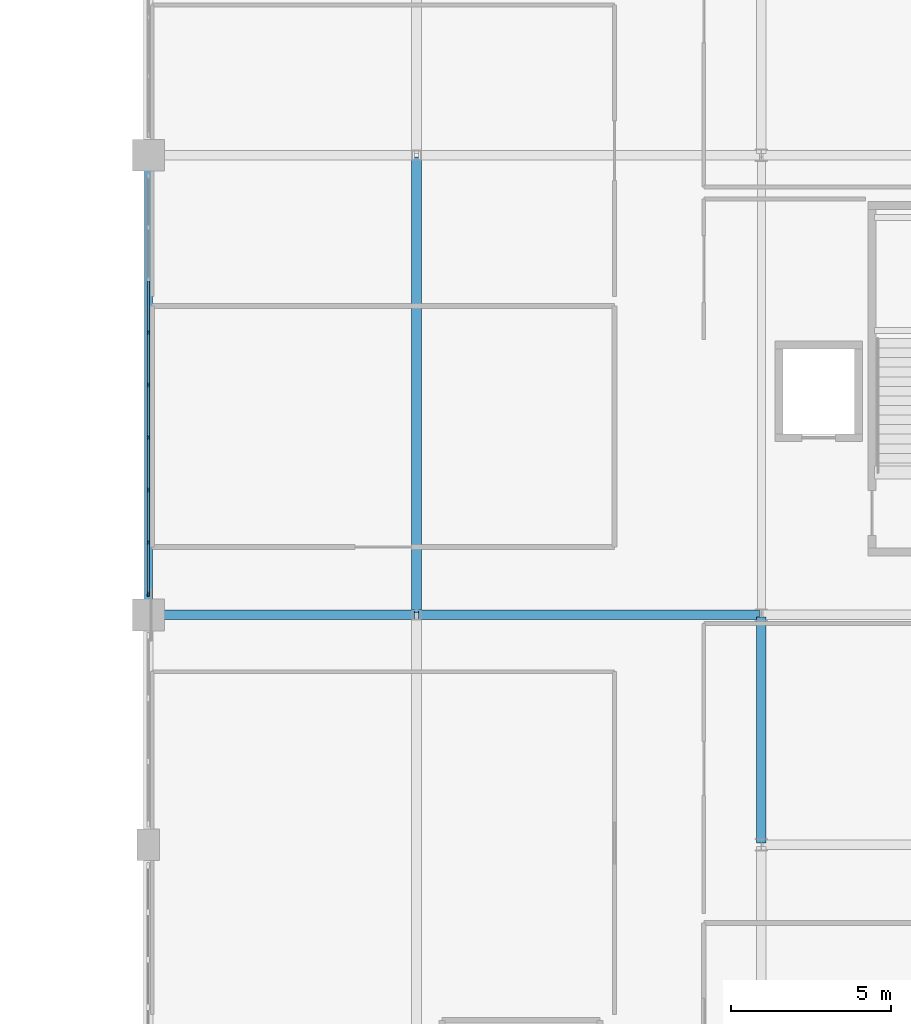
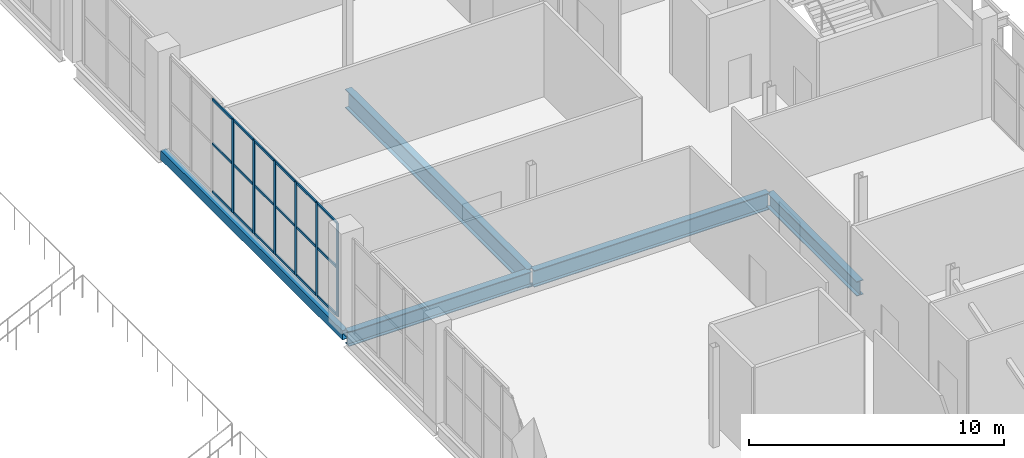
# One storey, part 37 of 104: 24 members, 5 beams, 1 element without a shape of its own.
"""IFC4 building model written with IfcOpenShell, lengths in metres."""

from ifc_helpers import new_model, si_unit, direction, frame, origin, origin_2d, place, context, subcontext, project, spatial, rectangle, hollow_rectangle, i_section, extrude, material, material_profile, profile_set, type_object, element, aggregate, save


model = new_model("IFC4")

# Units and contexts
model_context = context("Model", 3, precision=1e-05, world=origin(), true_north=direction((0.0, 1.0)))
body_context = subcontext(model_context, "Body", "Model", "MODEL_VIEW")
ifc_project = project(units=[si_unit("LENGTHUNIT", "METRE"), si_unit("AREAUNIT", "SQUARE_METRE"), si_unit("VOLUMEUNIT", "CUBIC_METRE"), si_unit("PLANEANGLEUNIT", "RADIAN"), si_unit("MASSUNIT", "GRAM", prefix="KILO")], contexts=[model_context])

# Site, building, storey
site_placement = place(None, origin())
site = spatial("IfcSite", under=ifc_project, at=site_placement, CompositionType="ELEMENT")
building_placement = place(site_placement, origin())
building = spatial("IfcBuilding", under=site, at=building_placement, Name="Koshinbarg Plaza Stadium", CompositionType="ELEMENT")
storey_placement = place(building_placement, frame((0.0, 0.0, 19.800048828125)))
storey = spatial("IfcBuildingStorey", under=building, at=storey_placement, Name="L04", CompositionType="ELEMENT", Elevation=19.800048828125)

# Beams
ifc_material_1 = material(Name="Steel S355", Category="steel")
ifc_material_profile_1 = material_profile(ifc_material_1, i_section(OverallWidth=0.300048828125, OverallDepth=0.699951171875, WebThickness=0.01708984375, FlangeThickness=0.031982421875, at=origin_2d()), Name="HEB 700")
ifc_profile_set_1 = profile_set([ifc_material_profile_1], Name="Steel S355")
beam_type_1 = type_object("IfcBeamType", Name="BM-SGIR-03", PredefinedType="USERDEFINED", material=ifc_profile_set_1)
beam_1_placement = place(storey_placement, frame((189.4599609375, 54.300048828125, -0.650146484375), z_axis=(1.0, 0.0, 0.0), x_axis=(0.0, 1.0, 0.0)))
element("IfcBeam", 1, at=beam_1_placement, inside=storey, type_object=beam_type_1, Name="L04 X girder H/18-19", ObjectType="GIRDER", PredefinedType="USERDEFINED", context=body_context, shape_type="SweptSolid", body=[
    extrude(i_section(OverallWidth=0.300048828125, OverallDepth=0.699951171875, WebThickness=0.01708984375, FlangeThickness=0.031982421875, at=origin_2d()), origin(), (0.0, 0.0, 1.0), 8.280029296875),
])
beam_2_placement = place(storey_placement, frame((208.60009765625, 47.159912109375, -0.650146484375), z_axis=(0.0, 1.0, 0.0), x_axis=(-1.0, 0.0, 0.0)))
element("IfcBeam", 2, at=beam_2_placement, inside=storey, type_object=beam_type_1, Name="L04 Y girder 20/G-H", ObjectType="GIRDER", PredefinedType="USERDEFINED", context=body_context, shape_type="SweptSolid", body=[
    extrude(i_section(OverallWidth=0.300048828125, OverallDepth=0.699951171875, WebThickness=0.01708984375, FlangeThickness=0.031982421875, at=origin_2d()), origin(), (0.0, 0.0, 1.0), 7.080078125),
])
ifc_material_profile_2 = material_profile(ifc_material_1, i_section(OverallWidth=0.300048828125, OverallDepth=0.800048828125, WebThickness=0.017578125, FlangeThickness=0.032958984375, at=origin_2d()), Name="HEB 800")
ifc_profile_set_2 = profile_set([ifc_material_profile_2], Name="Steel S355")
beam_type_2 = type_object("IfcBeamType", Name="BM-SGIR-04", PredefinedType="USERDEFINED", material=ifc_profile_set_2)
beam_3_placement = place(storey_placement, frame((197.860107421875, 54.300048828125, -0.699951171875), z_axis=(1.0, 0.0, 0.0), x_axis=(0.0, 1.0, 0.0)))
element("IfcBeam", 3, at=beam_3_placement, inside=storey, type_object=beam_type_2, Name="L04 X girder H/19-20", ObjectType="GIRDER", PredefinedType="USERDEFINED", context=body_context, shape_type="SweptSolid", body=[
    extrude(i_section(OverallWidth=0.300048828125, OverallDepth=0.800048828125, WebThickness=0.017578125, FlangeThickness=0.032958984375, at=origin_2d()), origin(), (0.0, 0.0, 1.0), 10.679931640625),
])
ifc_material_profile_3 = material_profile(ifc_material_1, i_section(OverallWidth=0.300048828125, OverallDepth=0.89990234375, WebThickness=0.0185546875, FlangeThickness=0.034912109375, at=origin_2d()), Name="HEB 900")
ifc_profile_set_3 = profile_set([ifc_material_profile_3], Name="Steel S355")
beam_type_3 = type_object("IfcBeamType", Name="BM-SGIR-05", PredefinedType="USERDEFINED", material=ifc_profile_set_3)
beam_4_placement = place(storey_placement, frame((197.800048828125, 54.360107421875, -0.75), z_axis=(0.0, 1.0, 0.0), x_axis=(-1.0, 0.0, 0.0)))
element("IfcBeam", 4, at=beam_4_placement, inside=storey, type_object=beam_type_3, Name="L04 Y girder 19/H-J", ObjectType="GIRDER", PredefinedType="USERDEFINED", context=body_context, shape_type="SweptSolid", body=[
    extrude(i_section(OverallWidth=0.300048828125, OverallDepth=0.89990234375, WebThickness=0.0185546875, FlangeThickness=0.034912109375, at=origin_2d()), origin(), (0.0, 0.0, 1.0), 14.27978515625),
])
ifc_material_profile_4 = material_profile(ifc_material_1, hollow_rectangle(XDim=0.25, YDim=0.449951171875, WallThickness=0.01611328125, at=origin_2d()), Name="RHS 450x250x16")
ifc_profile_set_4 = profile_set([ifc_material_profile_4], Name="Steel S355")
beam_type_4 = type_object("IfcBeamType", Name="BM-SGIR-06", PredefinedType="USERDEFINED", material=ifc_profile_set_4)
beam_5_placement = place(storey_placement, frame((189.39990234375, 54.360107421875, -0.525146484375), z_axis=(0.0, 1.0, 0.0), x_axis=(-1.0, 0.0, 0.0)))
element("IfcBeam", 5, at=beam_5_placement, inside=storey, type_object=beam_type_4, Name="L04 Y girder 18/H-J", ObjectType="GIRDER", PredefinedType="USERDEFINED", context=body_context, shape_type="SweptSolid", body=[
    extrude(hollow_rectangle(XDim=0.25, YDim=0.449951171875, WallThickness=0.01611328125, at=origin_2d()), origin(), (0.0, 0.0, 1.0), 14.27978515625),
])

# Curtain wall, members
ifc_material_2 = material(Name="Thermally broken anodised aluminium and low-E double glazing", Category="aluminium")
curtain_wall_type = type_object("IfcCurtainWallType", Name="CW-SYS-13", PredefinedType="NOTDEFINED", material=ifc_material_2)
curtain_wall_placement = place(storey_placement, origin())
curtain_wall = element("IfcCurtainWall", 6, at=curtain_wall_placement, inside=storey, type_object=curtain_wall_type, Name="L04 unitised curtain wall CW-L04-124", PredefinedType="NOTDEFINED")
ifc_material_3 = material(Name="Anodised aluminium mullion", Category="aluminium")
ifc_material_profile_5 = material_profile(ifc_material_3, rectangle(XDim=0.06005859375, YDim=0.139892578125, at=origin_2d()), Name="ALU 60x140")
ifc_profile_set_5 = profile_set([ifc_material_profile_5], Name="Anodised aluminium mullion")
member_type_1 = type_object("IfcMemberType", Name="CW-MUL-01", PredefinedType="MULLION", material=ifc_profile_set_5)
member_1_placement = place(storey_placement, frame((189.39990234375, 54.949951171875, 0.0), z_axis=(0.0, 0.0, 1.0), x_axis=(-1.0, 0.0, 0.0)))
member_1 = element("IfcMember", 7, at=member_1_placement, type_object=member_type_1, Name="CW13 mullion 1", PredefinedType="MULLION", context=body_context, shape_type="SweptSolid", body=[
    extrude(rectangle(XDim=0.06005859375, YDim=0.139892578125, at=origin_2d()), origin(), (0.0, 0.0, 1.0), 4.47998046875),
])
member_2_placement = place(storey_placement, frame((189.39990234375, 56.56494140625, 0.0), z_axis=(0.0, 0.0, 1.0), x_axis=(-1.0, 0.0, 0.0)))
member_2 = element("IfcMember", 8, at=member_2_placement, type_object=member_type_1, Name="CW13 mullion 2", PredefinedType="MULLION", context=body_context, shape_type="SweptSolid", body=[
    extrude(rectangle(XDim=0.06005859375, YDim=0.139892578125, at=origin_2d()), origin(), (0.0, 0.0, 1.0), 4.47998046875),
])
member_3_placement = place(storey_placement, frame((189.39990234375, 58.2099609375, 0.0), z_axis=(0.0, 0.0, 1.0), x_axis=(-1.0, 0.0, 0.0)))
member_3 = element("IfcMember", 9, at=member_3_placement, type_object=member_type_1, Name="CW13 mullion 3", PredefinedType="MULLION", context=body_context, shape_type="SweptSolid", body=[
    extrude(rectangle(XDim=0.06005859375, YDim=0.139892578125, at=origin_2d()), origin(), (0.0, 0.0, 1.0), 4.47998046875),
])
member_4_placement = place(storey_placement, frame((189.39990234375, 59.85498046875, 0.0), z_axis=(0.0, 0.0, 1.0), x_axis=(-1.0, 0.0, 0.0)))
member_4 = element("IfcMember", 10, at=member_4_placement, type_object=member_type_1, Name="CW13 mullion 4", PredefinedType="MULLION", context=body_context, shape_type="SweptSolid", body=[
    extrude(rectangle(XDim=0.06005859375, YDim=0.139892578125, at=origin_2d()), origin(), (0.0, 0.0, 1.0), 4.47998046875),
])
member_5_placement = place(storey_placement, frame((189.39990234375, 61.5, 0.0), z_axis=(0.0, 0.0, 1.0), x_axis=(-1.0, 0.0, 0.0)))
member_5 = element("IfcMember", 11, at=member_5_placement, type_object=member_type_1, Name="CW13 mullion 5", PredefinedType="MULLION", context=body_context, shape_type="SweptSolid", body=[
    extrude(rectangle(XDim=0.06005859375, YDim=0.139892578125, at=origin_2d()), origin(), (0.0, 0.0, 1.0), 4.47998046875),
])
member_6_placement = place(storey_placement, frame((189.39990234375, 63.14501953125, 0.0), z_axis=(0.0, 0.0, 1.0), x_axis=(-1.0, 0.0, 0.0)))
member_6 = element("IfcMember", 12, at=member_6_placement, type_object=member_type_1, Name="CW13 mullion 6", PredefinedType="MULLION", context=body_context, shape_type="SweptSolid", body=[
    extrude(rectangle(XDim=0.06005859375, YDim=0.139892578125, at=origin_2d()), origin(), (0.0, 0.0, 1.0), 4.47998046875),
])
ifc_material_4 = material(Name="Anodised aluminium transom", Category="aluminium")
ifc_material_profile_6 = material_profile(ifc_material_4, rectangle(XDim=0.06005859375, YDim=0.110107421875, at=origin_2d()), Name="ALU 60x110")
ifc_profile_set_6 = profile_set([ifc_material_profile_6], Name="Anodised aluminium transom")
member_type_2 = type_object("IfcMemberType", Name="CW-TRN-01", PredefinedType="USERDEFINED", material=ifc_profile_set_6)
member_7_placement = place(storey_placement, frame((189.39990234375, 54.97998046875, 0.030029296875), z_axis=(0.0, 1.0, 0.0), x_axis=(-1.0, 0.0, 0.0)))
member_7 = element("IfcMember", 13, at=member_7_placement, type_object=member_type_2, Name="CW13 transom 1.1", ObjectType="TRANSOM", PredefinedType="USERDEFINED", context=body_context, shape_type="SweptSolid", body=[
    extrude(rectangle(XDim=0.06005859375, YDim=0.110107421875, at=origin_2d()), origin(), (0.0, 0.0, 1.0), 1.554931640625),
])
member_8_placement = place(storey_placement, frame((189.39990234375, 54.97998046875, 2.32958984375), z_axis=(0.0, 1.0, 0.0), x_axis=(-1.0, 0.0, 0.0)))
member_8 = element("IfcMember", 14, at=member_8_placement, type_object=member_type_2, Name="CW13 transom 1.2", ObjectType="TRANSOM", PredefinedType="USERDEFINED", context=body_context, shape_type="SweptSolid", body=[
    extrude(rectangle(XDim=0.06005859375, YDim=0.110107421875, at=origin_2d()), origin(), (0.0, 0.0, 1.0), 1.554931640625),
])
member_9_placement = place(storey_placement, frame((189.39990234375, 54.97998046875, 4.449951171875), z_axis=(0.0, 1.0, 0.0), x_axis=(-1.0, 0.0, 0.0)))
member_9 = element("IfcMember", 15, at=member_9_placement, type_object=member_type_2, Name="CW13 transom 1.3", ObjectType="TRANSOM", PredefinedType="USERDEFINED", context=body_context, shape_type="SweptSolid", body=[
    extrude(rectangle(XDim=0.06005859375, YDim=0.110107421875, at=origin_2d()), origin(), (0.0, 0.0, 1.0), 1.554931640625),
])
member_10_placement = place(storey_placement, frame((189.39990234375, 56.594970703125, 0.030029296875), z_axis=(0.0, 1.0, 0.0), x_axis=(-1.0, 0.0, 0.0)))
member_10 = element("IfcMember", 16, at=member_10_placement, type_object=member_type_2, Name="CW13 transom 2.1", ObjectType="TRANSOM", PredefinedType="USERDEFINED", context=body_context, shape_type="SweptSolid", body=[
    extrude(rectangle(XDim=0.06005859375, YDim=0.110107421875, at=origin_2d()), origin(), (0.0, 0.0, 1.0), 1.5849609375),
])
member_11_placement = place(storey_placement, frame((189.39990234375, 56.594970703125, 2.32958984375), z_axis=(0.0, 1.0, 0.0), x_axis=(-1.0, 0.0, 0.0)))
member_11 = element("IfcMember", 17, at=member_11_placement, type_object=member_type_2, Name="CW13 transom 2.2", ObjectType="TRANSOM", PredefinedType="USERDEFINED", context=body_context, shape_type="SweptSolid", body=[
    extrude(rectangle(XDim=0.06005859375, YDim=0.110107421875, at=origin_2d()), origin(), (0.0, 0.0, 1.0), 1.5849609375),
])
member_12_placement = place(storey_placement, frame((189.39990234375, 56.594970703125, 4.449951171875), z_axis=(0.0, 1.0, 0.0), x_axis=(-1.0, 0.0, 0.0)))
member_12 = element("IfcMember", 18, at=member_12_placement, type_object=member_type_2, Name="CW13 transom 2.3", ObjectType="TRANSOM", PredefinedType="USERDEFINED", context=body_context, shape_type="SweptSolid", body=[
    extrude(rectangle(XDim=0.06005859375, YDim=0.110107421875, at=origin_2d()), origin(), (0.0, 0.0, 1.0), 1.5849609375),
])
member_13_placement = place(storey_placement, frame((189.39990234375, 58.239990234375, 0.030029296875), z_axis=(0.0, 1.0, 0.0), x_axis=(-1.0, 0.0, 0.0)))
member_13 = element("IfcMember", 19, at=member_13_placement, type_object=member_type_2, Name="CW13 transom 3.1", ObjectType="TRANSOM", PredefinedType="USERDEFINED", context=body_context, shape_type="SweptSolid", body=[
    extrude(rectangle(XDim=0.06005859375, YDim=0.110107421875, at=origin_2d()), origin(), (0.0, 0.0, 1.0), 1.5849609375),
])
member_14_placement = place(storey_placement, frame((189.39990234375, 58.239990234375, 2.32958984375), z_axis=(0.0, 1.0, 0.0), x_axis=(-1.0, 0.0, 0.0)))
member_14 = element("IfcMember", 20, at=member_14_placement, type_object=member_type_2, Name="CW13 transom 3.2", ObjectType="TRANSOM", PredefinedType="USERDEFINED", context=body_context, shape_type="SweptSolid", body=[
    extrude(rectangle(XDim=0.06005859375, YDim=0.110107421875, at=origin_2d()), origin(), (0.0, 0.0, 1.0), 1.5849609375),
])
member_15_placement = place(storey_placement, frame((189.39990234375, 58.239990234375, 4.449951171875), z_axis=(0.0, 1.0, 0.0), x_axis=(-1.0, 0.0, 0.0)))
member_15 = element("IfcMember", 21, at=member_15_placement, type_object=member_type_2, Name="CW13 transom 3.3", ObjectType="TRANSOM", PredefinedType="USERDEFINED", context=body_context, shape_type="SweptSolid", body=[
    extrude(rectangle(XDim=0.06005859375, YDim=0.110107421875, at=origin_2d()), origin(), (0.0, 0.0, 1.0), 1.5849609375),
])
member_16_placement = place(storey_placement, frame((189.39990234375, 59.885009765625, 0.030029296875), z_axis=(0.0, 1.0, 0.0), x_axis=(-1.0, 0.0, 0.0)))
member_16 = element("IfcMember", 22, at=member_16_placement, type_object=member_type_2, Name="CW13 transom 4.1", ObjectType="TRANSOM", PredefinedType="USERDEFINED", context=body_context, shape_type="SweptSolid", body=[
    extrude(rectangle(XDim=0.06005859375, YDim=0.110107421875, at=origin_2d()), origin(), (0.0, 0.0, 1.0), 1.5849609375),
])
member_17_placement = place(storey_placement, frame((189.39990234375, 59.885009765625, 2.32958984375), z_axis=(0.0, 1.0, 0.0), x_axis=(-1.0, 0.0, 0.0)))
member_17 = element("IfcMember", 23, at=member_17_placement, type_object=member_type_2, Name="CW13 transom 4.2", ObjectType="TRANSOM", PredefinedType="USERDEFINED", context=body_context, shape_type="SweptSolid", body=[
    extrude(rectangle(XDim=0.06005859375, YDim=0.110107421875, at=origin_2d()), origin(), (0.0, 0.0, 1.0), 1.5849609375),
])
member_18_placement = place(storey_placement, frame((189.39990234375, 59.885009765625, 4.449951171875), z_axis=(0.0, 1.0, 0.0), x_axis=(-1.0, 0.0, 0.0)))
member_18 = element("IfcMember", 24, at=member_18_placement, type_object=member_type_2, Name="CW13 transom 4.3", ObjectType="TRANSOM", PredefinedType="USERDEFINED", context=body_context, shape_type="SweptSolid", body=[
    extrude(rectangle(XDim=0.06005859375, YDim=0.110107421875, at=origin_2d()), origin(), (0.0, 0.0, 1.0), 1.5849609375),
])
member_19_placement = place(storey_placement, frame((189.39990234375, 61.530029296875, 0.030029296875), z_axis=(0.0, 1.0, 0.0), x_axis=(-1.0, 0.0, 0.0)))
member_19 = element("IfcMember", 25, at=member_19_placement, type_object=member_type_2, Name="CW13 transom 5.1", ObjectType="TRANSOM", PredefinedType="USERDEFINED", context=body_context, shape_type="SweptSolid", body=[
    extrude(rectangle(XDim=0.06005859375, YDim=0.110107421875, at=origin_2d()), origin(), (0.0, 0.0, 1.0), 1.5849609375),
])
member_20_placement = place(storey_placement, frame((189.39990234375, 61.530029296875, 2.32958984375), z_axis=(0.0, 1.0, 0.0), x_axis=(-1.0, 0.0, 0.0)))
member_20 = element("IfcMember", 26, at=member_20_placement, type_object=member_type_2, Name="CW13 transom 5.2", ObjectType="TRANSOM", PredefinedType="USERDEFINED", context=body_context, shape_type="SweptSolid", body=[
    extrude(rectangle(XDim=0.06005859375, YDim=0.110107421875, at=origin_2d()), origin(), (0.0, 0.0, 1.0), 1.5849609375),
])
member_21_placement = place(storey_placement, frame((189.39990234375, 61.530029296875, 4.449951171875), z_axis=(0.0, 1.0, 0.0), x_axis=(-1.0, 0.0, 0.0)))
member_21 = element("IfcMember", 27, at=member_21_placement, type_object=member_type_2, Name="CW13 transom 5.3", ObjectType="TRANSOM", PredefinedType="USERDEFINED", context=body_context, shape_type="SweptSolid", body=[
    extrude(rectangle(XDim=0.06005859375, YDim=0.110107421875, at=origin_2d()), origin(), (0.0, 0.0, 1.0), 1.5849609375),
])
member_22_placement = place(storey_placement, frame((189.39990234375, 63.175048828125, 0.030029296875), z_axis=(0.0, 1.0, 0.0), x_axis=(-1.0, 0.0, 0.0)))
member_22 = element("IfcMember", 28, at=member_22_placement, type_object=member_type_2, Name="CW13 transom 6.1", ObjectType="TRANSOM", PredefinedType="USERDEFINED", context=body_context, shape_type="SweptSolid", body=[
    extrude(rectangle(XDim=0.06005859375, YDim=0.110107421875, at=origin_2d()), origin(), (0.0, 0.0, 1.0), 1.5849609375),
])
member_23_placement = place(storey_placement, frame((189.39990234375, 63.175048828125, 2.32958984375), z_axis=(0.0, 1.0, 0.0), x_axis=(-1.0, 0.0, 0.0)))
member_23 = element("IfcMember", 29, at=member_23_placement, type_object=member_type_2, Name="CW13 transom 6.2", ObjectType="TRANSOM", PredefinedType="USERDEFINED", context=body_context, shape_type="SweptSolid", body=[
    extrude(rectangle(XDim=0.06005859375, YDim=0.110107421875, at=origin_2d()), origin(), (0.0, 0.0, 1.0), 1.5849609375),
])
member_24_placement = place(storey_placement, frame((189.39990234375, 63.175048828125, 4.449951171875), z_axis=(0.0, 1.0, 0.0), x_axis=(-1.0, 0.0, 0.0)))
member_24 = element("IfcMember", 30, at=member_24_placement, type_object=member_type_2, Name="CW13 transom 6.3", ObjectType="TRANSOM", PredefinedType="USERDEFINED", context=body_context, shape_type="SweptSolid", body=[
    extrude(rectangle(XDim=0.06005859375, YDim=0.110107421875, at=origin_2d()), origin(), (0.0, 0.0, 1.0), 1.5849609375),
])
aggregate(curtain_wall, [member_1, member_2, member_3, member_4, member_5, member_6, member_7, member_8, member_9, member_10, member_11, member_12, member_13, member_14, member_15, member_16, member_17, member_18, member_19, member_20, member_21, member_22, member_23, member_24])

save(model, "model.ifc")
